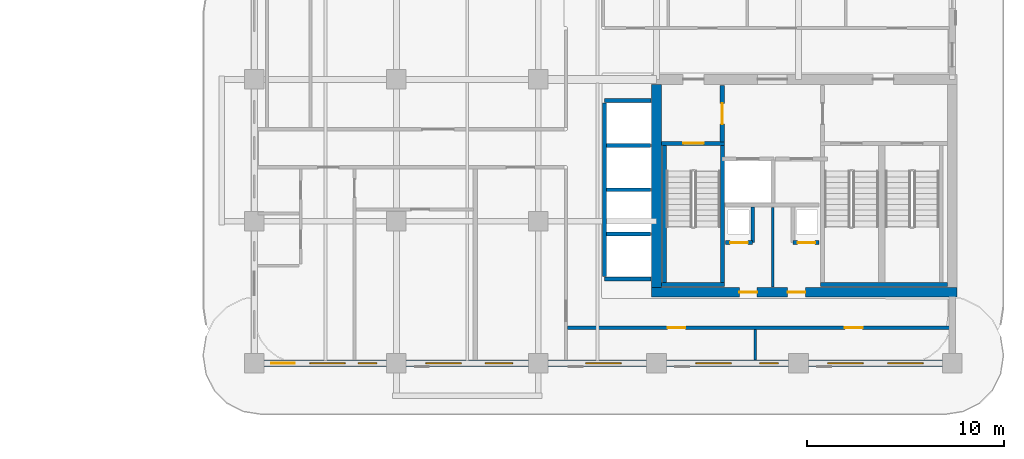
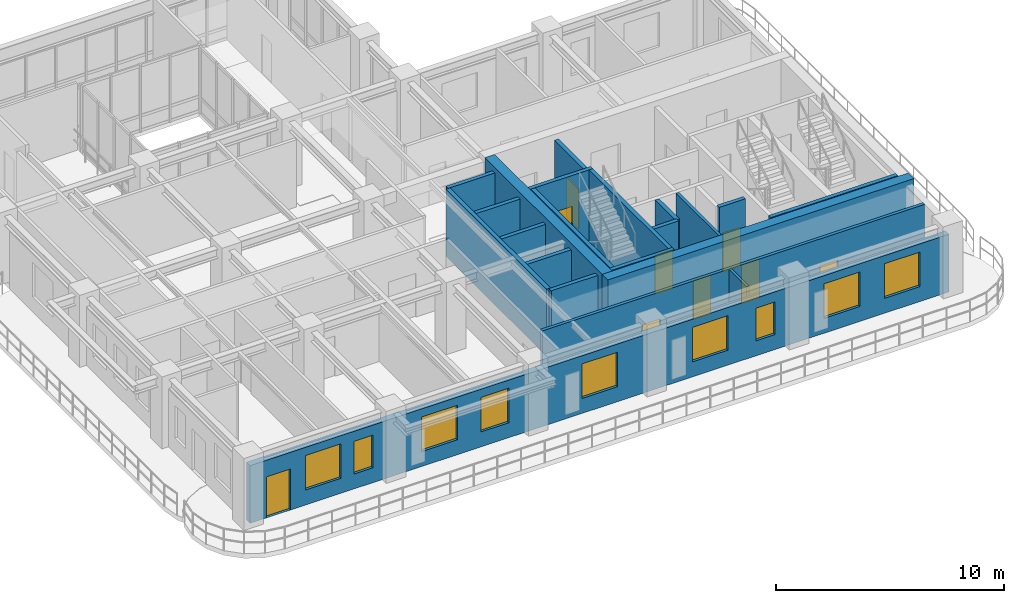
# One storey, part 12 of 20: 21 walls, 9 doors, 9 windows, 18 openings.
"""IFC4 building model written with IfcOpenShell, lengths in metres."""

from ifc_helpers import new_model, si_unit, derived_unit, direction, frame, frame_2d, origin, place, context, subcontext, project, spatial, rectangle, extrude, source, transform, mapped, material, layer, layer_set, type_object, type_shapes, element, fill, save


model = new_model("IFC4")

# Units and contexts
model_context = context("Model", 3, precision=1e-05, world=origin(), true_north=direction((0.0, 1.0)))
body_context = subcontext(model_context, "Body", "Model", "MODEL_VIEW")
ifc_project = project(units=[si_unit("LENGTHUNIT", "METRE"), si_unit("AREAUNIT", "SQUARE_METRE"), si_unit("VOLUMEUNIT", "CUBIC_METRE"), si_unit("PLANEANGLEUNIT", "RADIAN"), si_unit("MASSUNIT", "GRAM", prefix="KILO"), si_unit("THERMODYNAMICTEMPERATUREUNIT", "KELVIN"), si_unit("POWERUNIT", "WATT"), derived_unit("THERMALTRANSMITTANCEUNIT", [(si_unit("POWERUNIT", "WATT"), 1), (si_unit("AREAUNIT", "SQUARE_METRE"), -1), (si_unit("THERMODYNAMICTEMPERATUREUNIT", "KELVIN"), -1)])], contexts=[model_context])

# Site, building, storey
site_placement = place(None, origin())
site = spatial("IfcSite", under=ifc_project, at=site_placement, CompositionType="ELEMENT")
building_placement = place(site_placement, origin())
building = spatial("IfcBuilding", under=site, at=building_placement, Name="Zahravan Archway Hotel and Residences", CompositionType="ELEMENT")
storey_placement = place(building_placement, frame((0.0, 0.0, 154.14990234375)))
storey = spatial("IfcBuildingStorey", under=building, at=storey_placement, Name="L38", CompositionType="ELEMENT", Elevation=154.14990234375)

# Wall, openings, doors
ifc_material_1 = material(Name="Concrete C60/75", Category="concrete")
ifc_layer_1 = layer(ifc_material_1, 0.5, Name="Concrete C60/75", Category="concrete")
ifc_layer_set_1 = layer_set([ifc_layer_1], Name="Concrete C60/75")
wall_type_1 = type_object("IfcWallType", Name="CW-CORE-500", PredefinedType="SHEAR", material=ifc_layer_set_1)
wall_1_placement = place(storey_placement, frame((34.550048828125, 3.60009765625, 0.0), z_axis=(0.0, 0.0, 1.0), x_axis=(1.0, 0.0, 0.0)))
wall_1 = element("IfcWall", 1, at=wall_1_placement, inside=storey, type_object=wall_type_1, Name="L38 Core A Shear S Wall 500 mm", PredefinedType="SHEAR", context=body_context, shape_type="SweptSolid", body=[
    extrude(rectangle(XDim=15.5, YDim=0.5, at=frame_2d((7.75, 0.0))), origin(), (0.0, 0.0, 1.0), 3.85009765625),
])
opening_1_placement = place(wall_1_placement, frame((4.449951171875, 0.0, 0.0)))
opening_1 = element("IfcOpeningElement", 2, at=opening_1_placement, cuts=wall_1, Name="Opening FD-R1", PredefinedType="OPENING", context=body_context, shape_type="SweptSolid", body=[
    extrude(rectangle(XDim=0.89990234375, YDim=2.10009765625, at=frame_2d((0.449951171875, 1.050048828125))), frame((0.0, 0.260009765625, 0.0), z_axis=(0.0, -1.0, 0.0), x_axis=(1.0, 0.0, 0.0)), (0.0, 0.0, 1.0), 0.52001953125),
])
opening_2_placement = place(wall_1_placement, frame((6.89990234375, 0.0, 0.0)))
opening_2 = element("IfcOpeningElement", 3, at=opening_2_placement, cuts=wall_1, Name="Opening FD-R1", PredefinedType="OPENING", context=body_context, shape_type="SweptSolid", body=[
    extrude(rectangle(XDim=0.89990234375, YDim=2.10009765625, at=frame_2d((0.449951171875, 1.050048828125))), frame((0.0, 0.260009765625, 0.0), z_axis=(0.0, -1.0, 0.0), x_axis=(1.0, 0.0, 0.0)), (0.0, 0.0, 1.0), 0.52001953125),
])
ifc_material_2 = material(Name="Fire-Rated Painted Steel", Category="steel")
door_type_1 = type_object("IfcDoorType", Name="FD-RISER-900", OperationType="NOTDEFINED", PredefinedType="DOOR", material=ifc_material_2)
shared_shape_1 = source(origin(), body_context, "Body", "SweptSolid", [
    extrude(rectangle(XDim=0.89990234375, YDim=2.10009765625, at=frame_2d((0.449951171875, 1.050048828125))), frame((0.0, 0.02490234375, 0.0), z_axis=(0.0, -1.0, 0.0), x_axis=(1.0, 0.0, 0.0)), (0.0, 0.0, 1.0), 0.050048828125),
])
type_shapes(door_type_1, [shared_shape_1])
door_1_placement = place(opening_1_placement, origin())
door_1 = element("IfcDoor", 4, at=door_1_placement, inside=storey, type_object=door_type_1, Name="L38 Electrical Switchgear Door", OperationType="SINGLE_SWING_RIGHT", OverallHeight=2.10009765625, OverallWidth=0.89990234375, PredefinedType="DOOR", context=body_context, shape_type="MappedRepresentation", body=[
    mapped(shared_shape_1, transform((0.0, 0.0, 0.0), scale=1.0)),
])
fill(opening_1, door_1)
door_2_placement = place(opening_2_placement, origin())
door_2 = element("IfcDoor", 5, at=door_2_placement, inside=storey, type_object=door_type_1, Name="L38 Telecom BMS Door", OperationType="SINGLE_SWING_LEFT", OverallHeight=2.10009765625, OverallWidth=0.89990234375, PredefinedType="DOOR", context=body_context, shape_type="MappedRepresentation", body=[
    mapped(shared_shape_1, transform((0.0, 0.0, 0.0), scale=1.0)),
])
fill(opening_2, door_2)

# Wall
wall_2_placement = place(storey_placement, frame((34.800048828125, 3.85009765625, 0.0), z_axis=(0.0, 0.0, 1.0), x_axis=(0.0, 1.0, 0.0)))
element("IfcWall", 6, at=wall_2_placement, inside=storey, type_object=wall_type_1, Name="L38 Core A Shear W Wall 500 mm", PredefinedType="SHEAR", context=body_context, shape_type="SweptSolid", body=[
    extrude(rectangle(XDim=10.2998046875, YDim=0.5, at=frame_2d((5.14990234375, 0.0))), origin(), (0.0, 0.0, 1.0), 3.85009765625),
])

# Wall, openings, door, windows
ifc_material_3 = material(Name="Agra Buff Sandstone & Insulated Backup", Category="masonry")
ifc_layer_2 = layer(ifc_material_3, 0.320068359375, Name="Agra Buff Sandstone & Insulated Backup", Category="masonry")
ifc_layer_set_2 = layer_set([ifc_layer_2], Name="Agra Buff Sandstone & Insulated Backup")
wall_type_2 = type_object("IfcWallType", Name="EW-SAND-320", PredefinedType="SOLIDWALL", material=ifc_layer_set_2)
wall_3_placement = place(storey_placement, frame((14.39990234375, 0.0, 0.0), z_axis=(0.0, 0.0, 1.0), x_axis=(1.0, 0.0, 0.0)))
wall_3 = element("IfcWall", 7, at=wall_3_placement, inside=storey, type_object=wall_type_2, Name="L38 Exterior Sandstone Wall WA-S", PredefinedType="SOLIDWALL", context=body_context, shape_type="SweptSolid", body=[
    extrude(rectangle(XDim=35.400146484375, YDim=0.320068359375, at=frame_2d((17.7001953125, 0.0))), origin(), (0.0, 0.0, 1.0), 3.085205078125),
])
opening_3_placement = place(wall_3_placement, frame((0.85009765625, 0.0, 0.0)))
opening_3 = element("IfcOpeningElement", 8, at=opening_3_placement, cuts=wall_3, Name="Opening ED-BL1", PredefinedType="OPENING", context=body_context, shape_type="SweptSolid", body=[
    extrude(rectangle(XDim=1.199951171875, YDim=2.199951171875, at=frame_2d((0.60009765625, 1.10009765625))), frame((0.0, 0.169921875, 0.0), z_axis=(0.0, -1.0, 0.0), x_axis=(1.0, 0.0, 0.0)), (0.0, 0.0, 1.0), 0.340087890625),
])
opening_4_placement = place(wall_3_placement, frame((2.81103515625, 0.0, 0.800048828125)))
opening_4 = element("IfcOpeningElement", 9, at=opening_4_placement, cuts=wall_3, Name="Opening W-02", PredefinedType="OPENING", context=body_context, shape_type="SweptSolid", body=[
    extrude(rectangle(XDim=1.800048828125, YDim=1.85009765625, at=frame_2d((0.89990234375, 0.925048828125))), frame((0.0, 0.169921875, 0.0), z_axis=(0.0, -1.0, 0.0), x_axis=(1.0, 0.0, 0.0)), (0.0, 0.0, 1.0), 0.340087890625),
])
opening_5_placement = place(wall_3_placement, frame((5.26904296875, 0.0, 0.800048828125)))
opening_5 = element("IfcOpeningElement", 10, at=opening_5_placement, cuts=wall_3, Name="Opening W-04", PredefinedType="OPENING", context=body_context, shape_type="SweptSolid", body=[
    extrude(rectangle(XDim=0.949951171875, YDim=1.75, at=frame_2d((0.47509765625, 0.875))), frame((0.0, 0.169921875, 0.0), z_axis=(0.0, -1.0, 0.0), x_axis=(1.0, 0.0, 0.0)), (0.0, 0.0, 1.0), 0.340087890625),
])
opening_6_placement = place(wall_3_placement, frame((8.696044921875, 0.0, 0.800048828125)))
opening_6 = element("IfcOpeningElement", 11, at=opening_6_placement, cuts=wall_3, Name="Opening W-02", PredefinedType="OPENING", context=body_context, shape_type="SweptSolid", body=[
    extrude(rectangle(XDim=1.800048828125, YDim=1.85009765625, at=frame_2d((0.89990234375, 0.925048828125))), frame((0.0, 0.169921875, 0.0), z_axis=(0.0, -1.0, 0.0), x_axis=(1.0, 0.0, 0.0)), (0.0, 0.0, 1.0), 0.340087890625),
])
opening_7_placement = place(wall_3_placement, frame((11.7041015625, 0.0, 0.800048828125)))
opening_7 = element("IfcOpeningElement", 12, at=opening_7_placement, cuts=wall_3, Name="Opening W-03", PredefinedType="OPENING", context=body_context, shape_type="SweptSolid", body=[
    extrude(rectangle(XDim=1.39990234375, YDim=1.85009765625, at=frame_2d((0.699951171875, 0.925048828125))), frame((0.0, 0.169921875, 0.0), z_axis=(0.0, -1.0, 0.0), x_axis=(1.0, 0.0, 0.0)), (0.0, 0.0, 1.0), 0.340087890625),
])
opening_8_placement = place(wall_3_placement, frame((16.803955078125, 0.0, 0.800048828125)))
opening_8 = element("IfcOpeningElement", 13, at=opening_8_placement, cuts=wall_3, Name="Opening W-02", PredefinedType="OPENING", context=body_context, shape_type="SweptSolid", body=[
    extrude(rectangle(XDim=1.800048828125, YDim=1.85009765625, at=frame_2d((0.89990234375, 0.925048828125))), frame((0.0, 0.169921875, 0.0), z_axis=(0.0, -1.0, 0.0), x_axis=(1.0, 0.0, 0.0)), (0.0, 0.0, 1.0), 0.340087890625),
])
opening_9_placement = place(wall_3_placement, frame((22.39599609375, 0.0, 0.800048828125)))
opening_9 = element("IfcOpeningElement", 14, at=opening_9_placement, cuts=wall_3, Name="Opening W-02", PredefinedType="OPENING", context=body_context, shape_type="SweptSolid", body=[
    extrude(rectangle(XDim=1.800048828125, YDim=1.85009765625, at=frame_2d((0.89990234375, 0.925048828125))), frame((0.0, 0.169921875, 0.0), z_axis=(0.0, -1.0, 0.0), x_axis=(1.0, 0.0, 0.0)), (0.0, 0.0, 1.0), 0.340087890625),
])
opening_10_placement = place(wall_3_placement, frame((25.62890625, 0.0, 0.800048828125)))
opening_10 = element("IfcOpeningElement", 15, at=opening_10_placement, cuts=wall_3, Name="Opening W-04", PredefinedType="OPENING", context=body_context, shape_type="SweptSolid", body=[
    extrude(rectangle(XDim=0.949951171875, YDim=1.75, at=frame_2d((0.47509765625, 0.875))), frame((0.0, 0.169921875, 0.0), z_axis=(0.0, -1.0, 0.0), x_axis=(1.0, 0.0, 0.0)), (0.0, 0.0, 1.0), 0.340087890625),
])
opening_11_placement = place(wall_3_placement, frame((29.074951171875, 0.0, 0.800048828125)))
opening_11 = element("IfcOpeningElement", 16, at=opening_11_placement, cuts=wall_3, Name="Opening W-02", PredefinedType="OPENING", context=body_context, shape_type="SweptSolid", body=[
    extrude(rectangle(XDim=1.800048828125, YDim=1.85009765625, at=frame_2d((0.89990234375, 0.925048828125))), frame((0.0, 0.169921875, 0.0), z_axis=(0.0, -1.0, 0.0), x_axis=(1.0, 0.0, 0.0)), (0.0, 0.0, 1.0), 0.340087890625),
])
opening_12_placement = place(wall_3_placement, frame((32.125, 0.0, 0.800048828125)))
opening_12 = element("IfcOpeningElement", 17, at=opening_12_placement, cuts=wall_3, Name="Opening W-02", PredefinedType="OPENING", context=body_context, shape_type="SweptSolid", body=[
    extrude(rectangle(XDim=1.800048828125, YDim=1.85009765625, at=frame_2d((0.89990234375, 0.925048828125))), frame((0.0, 0.169921875, 0.0), z_axis=(0.0, -1.0, 0.0), x_axis=(1.0, 0.0, 0.0)), (0.0, 0.0, 1.0), 0.340087890625),
])
ifc_material_4 = material(Name="Bronze-Anodized Glazed Aluminium", Category="aluminium")
door_type_2 = type_object("IfcDoorType", Name="ED-BALC-1200", OperationType="SLIDING_TO_LEFT", PredefinedType="DOOR", material=ifc_material_4)
shared_shape_2 = source(origin(), body_context, "Body", "SweptSolid", [
    extrude(rectangle(XDim=1.199951171875, YDim=2.199951171875, at=frame_2d((0.60009765625, 1.10009765625))), frame((0.0, 0.02490234375, 0.0), z_axis=(0.0, -1.0, 0.0), x_axis=(1.0, 0.0, 0.0)), (0.0, 0.0, 1.0), 0.050048828125),
])
type_shapes(door_type_2, [shared_shape_2])
door_3_placement = place(opening_3_placement, origin())
door_3 = element("IfcDoor", 18, at=door_3_placement, inside=storey, type_object=door_type_2, Name="L38 Outdoor Access Sliding Door (SLB-BAL-L38-SA)", OperationType="SLIDING_TO_LEFT", OverallHeight=2.199951171875, OverallWidth=1.199951171875, PredefinedType="DOOR", context=body_context, shape_type="MappedRepresentation", body=[
    mapped(shared_shape_2, transform((0.0, 0.0, 0.0), scale=1.0)),
])
fill(opening_3, door_3)
ifc_material_5 = material(Name="Bronze-Anodized Thermal-Break Aluminium & Low-E Glass", Category="aluminium")
window_type_1 = type_object("IfcWindowType", Name="WIN-TWR-1400", PartitioningType="SINGLE_PANEL", PredefinedType="WINDOW", material=ifc_material_5)
shared_shape_3 = source(origin(), body_context, "Body", "SweptSolid", [
    extrude(rectangle(XDim=1.39990234375, YDim=1.85009765625, at=frame_2d((0.699951171875, 0.925048828125))), frame((0.0, 0.030029296875, 0.0), z_axis=(0.0, -1.0, 0.0), x_axis=(1.0, 0.0, 0.0)), (0.0, 0.0, 1.0), 0.06005859375),
])
type_shapes(window_type_1, [shared_shape_3])
window_1_placement = place(opening_7_placement, origin())
window_1 = element("IfcWindow", 19, at=window_1_placement, inside=storey, type_object=window_type_1, Name="L38 Loggia Window 04", OverallHeight=1.85009765625, OverallWidth=1.39990234375, PartitioningType="SINGLE_PANEL", PredefinedType="WINDOW", context=body_context, shape_type="MappedRepresentation", body=[
    mapped(shared_shape_3, transform((0.0, 0.0, 0.0), scale=1.0)),
])
fill(opening_7, window_1)
window_type_2 = type_object("IfcWindowType", Name="WIN-NAR-950", PartitioningType="SINGLE_PANEL", PredefinedType="WINDOW", material=ifc_material_5)
shared_shape_4 = source(origin(), body_context, "Body", "SweptSolid", [
    extrude(rectangle(XDim=0.949951171875, YDim=1.75, at=frame_2d((0.47509765625, 0.875))), frame((0.0, 0.030029296875, 0.0), z_axis=(0.0, -1.0, 0.0), x_axis=(1.0, 0.0, 0.0)), (0.0, 0.0, 1.0), 0.06005859375),
])
type_shapes(window_type_2, [shared_shape_4])
window_2_placement = place(opening_5_placement, origin())
window_2 = element("IfcWindow", 20, at=window_2_placement, inside=storey, type_object=window_type_2, Name="L38 Loggia Window 02", OverallHeight=1.75, OverallWidth=0.949951171875, PartitioningType="SINGLE_PANEL", PredefinedType="WINDOW", context=body_context, shape_type="MappedRepresentation", body=[
    mapped(shared_shape_4, transform((0.0, 0.0, 0.0), scale=1.0)),
])
fill(opening_5, window_2)
window_3_placement = place(opening_10_placement, origin())
window_3 = element("IfcWindow", 21, at=window_3_placement, inside=storey, type_object=window_type_2, Name="L38 Loggia Window 07", OverallHeight=1.75, OverallWidth=0.949951171875, PartitioningType="SINGLE_PANEL", PredefinedType="WINDOW", context=body_context, shape_type="MappedRepresentation", body=[
    mapped(shared_shape_4, transform((0.0, 0.0, 0.0), scale=1.0)),
])
fill(opening_10, window_3)
window_type_3 = type_object("IfcWindowType", Name="WIN-TWR-1800", PartitioningType="DOUBLE_PANEL_VERTICAL", PredefinedType="WINDOW", material=ifc_material_5)
shared_shape_5 = source(origin(), body_context, "Body", "SweptSolid", [
    extrude(rectangle(XDim=1.800048828125, YDim=1.85009765625, at=frame_2d((0.89990234375, 0.925048828125))), frame((0.0, 0.030029296875, 0.0), z_axis=(0.0, -1.0, 0.0), x_axis=(1.0, 0.0, 0.0)), (0.0, 0.0, 1.0), 0.06005859375),
])
type_shapes(window_type_3, [shared_shape_5])
window_4_placement = place(opening_4_placement, origin())
window_4 = element("IfcWindow", 22, at=window_4_placement, inside=storey, type_object=window_type_3, Name="L38 Loggia Window 01", OverallHeight=1.85009765625, OverallWidth=1.800048828125, PartitioningType="DOUBLE_PANEL_VERTICAL", PredefinedType="WINDOW", context=body_context, shape_type="MappedRepresentation", body=[
    mapped(shared_shape_5, transform((0.0, 0.0, 0.0), scale=1.0)),
])
fill(opening_4, window_4)
window_5_placement = place(opening_6_placement, origin())
window_5 = element("IfcWindow", 23, at=window_5_placement, inside=storey, type_object=window_type_3, Name="L38 Loggia Window 03", OverallHeight=1.85009765625, OverallWidth=1.800048828125, PartitioningType="DOUBLE_PANEL_VERTICAL", PredefinedType="WINDOW", context=body_context, shape_type="MappedRepresentation", body=[
    mapped(shared_shape_5, transform((0.0, 0.0, 0.0), scale=1.0)),
])
fill(opening_6, window_5)
window_6_placement = place(opening_8_placement, origin())
window_6 = element("IfcWindow", 24, at=window_6_placement, inside=storey, type_object=window_type_3, Name="L38 Loggia Window 05", OverallHeight=1.85009765625, OverallWidth=1.800048828125, PartitioningType="DOUBLE_PANEL_VERTICAL", PredefinedType="WINDOW", context=body_context, shape_type="MappedRepresentation", body=[
    mapped(shared_shape_5, transform((0.0, 0.0, 0.0), scale=1.0)),
])
fill(opening_8, window_6)
window_7_placement = place(opening_9_placement, origin())
window_7 = element("IfcWindow", 25, at=window_7_placement, inside=storey, type_object=window_type_3, Name="L38 Loggia Window 06", OverallHeight=1.85009765625, OverallWidth=1.800048828125, PartitioningType="DOUBLE_PANEL_VERTICAL", PredefinedType="WINDOW", context=body_context, shape_type="MappedRepresentation", body=[
    mapped(shared_shape_5, transform((0.0, 0.0, 0.0), scale=1.0)),
])
fill(opening_9, window_7)
window_8_placement = place(opening_11_placement, origin())
window_8 = element("IfcWindow", 26, at=window_8_placement, inside=storey, type_object=window_type_3, Name="L38 Loggia Window 08", OverallHeight=1.85009765625, OverallWidth=1.800048828125, PartitioningType="DOUBLE_PANEL_VERTICAL", PredefinedType="WINDOW", context=body_context, shape_type="MappedRepresentation", body=[
    mapped(shared_shape_5, transform((0.0, 0.0, 0.0), scale=1.0)),
])
fill(opening_11, window_8)
window_9_placement = place(opening_12_placement, origin())
window_9 = element("IfcWindow", 27, at=window_9_placement, inside=storey, type_object=window_type_3, Name="L38 Loggia Window 09", OverallHeight=1.85009765625, OverallWidth=1.800048828125, PartitioningType="DOUBLE_PANEL_VERTICAL", PredefinedType="WINDOW", context=body_context, shape_type="MappedRepresentation", body=[
    mapped(shared_shape_5, transform((0.0, 0.0, 0.0), scale=1.0)),
])
fill(opening_12, window_9)

# Wall, opening, door
ifc_material_6 = material(Name="Fire-Rated Gypsum & Concrete Block", Category="concrete")
ifc_layer_3 = layer(ifc_material_6, 0.219970703125, Name="Fire-Rated Gypsum & Concrete Block", Category="concrete")
ifc_layer_set_3 = layer_set([ifc_layer_3], Name="Fire-Rated Gypsum & Concrete Block")
wall_type_3 = type_object("IfcWallType", Name="PW-COMP-220", PredefinedType="PARTITIONING", material=ifc_layer_set_3)
wall_4_placement = place(storey_placement, frame((38.139892578125, 11.219970703125, 0.0), z_axis=(0.0, 0.0, 1.0), x_axis=(0.0, 1.0, 0.0)))
wall_4 = element("IfcWall", 28, at=wall_4_placement, inside=storey, type_object=wall_type_3, Name="L38 Partition CA-LOBW", PredefinedType="PARTITIONING", context=body_context, shape_type="SweptSolid", body=[
    extrude(rectangle(XDim=2.860107421875, YDim=0.219970703125, at=frame_2d((1.43017578125, 0.0))), origin(), (0.0, 0.0, 1.0), 3.60009765625),
])
opening_13_placement = place(wall_4_placement, frame((0.905029296875, 0.0, 0.0)))
opening_13 = element("IfcOpeningElement", 29, at=opening_13_placement, cuts=wall_4, Name="Opening FD-L2", PredefinedType="OPENING", context=body_context, shape_type="SweptSolid", body=[
    extrude(rectangle(XDim=1.050048828125, YDim=2.14990234375, at=frame_2d((0.52490234375, 1.074951171875))), frame((0.0, 0.1201171875, 0.0), z_axis=(0.0, -1.0, 0.0), x_axis=(1.0, 0.0, 0.0)), (0.0, 0.0, 1.0), 0.239990234375),
])
door_type_3 = type_object("IfcDoorType", Name="FD-LOBBY-1100", OperationType="NOTDEFINED", PredefinedType="DOOR", material=ifc_material_2)
shared_shape_6 = source(origin(), body_context, "Body", "SweptSolid", [
    extrude(rectangle(XDim=1.050048828125, YDim=2.14990234375, at=frame_2d((0.52490234375, 1.074951171875))), frame((0.0, 0.02490234375, 0.0), z_axis=(0.0, -1.0, 0.0), x_axis=(1.0, 0.0, 0.0)), (0.0, 0.0, 1.0), 0.050048828125),
])
type_shapes(door_type_3, [shared_shape_6])
door_4_placement = place(opening_13_placement, origin())
door_4 = element("IfcDoor", 30, at=door_4_placement, inside=storey, type_object=door_type_3, Name="L38 Core A West Stair to FSAE Lobby Door", OperationType="SINGLE_SWING_RIGHT", OverallHeight=2.14990234375, OverallWidth=1.050048828125, PredefinedType="DOOR", context=body_context, shape_type="MappedRepresentation", body=[
    mapped(shared_shape_6, transform((0.0, 0.0, 0.0), scale=1.0)),
])
fill(opening_13, door_4)

# Wall, openings, doors
ifc_layer_4 = layer(ifc_material_6, 0.159912109375, Name="Fire-Rated Gypsum & Concrete Block", Category="concrete")
ifc_layer_set_4 = layer_set([ifc_layer_4], Name="Fire-Rated Gypsum & Concrete Block")
wall_type_4 = type_object("IfcWallType", Name="PW-CORR-160", PredefinedType="PARTITIONING", material=ifc_layer_set_4)
wall_5_placement = place(storey_placement, frame((30.2900390625, 1.800048828125, 0.0), z_axis=(0.0, 0.0, 1.0), x_axis=(1.0, 0.0, 0.0)))
wall_5 = element("IfcWall", 31, at=wall_5_placement, inside=storey, type_object=wall_type_4, Name="L38 Partition WA-SRS", PredefinedType="PARTITIONING", context=body_context, shape_type="SweptSolid", body=[
    extrude(rectangle(XDim=19.369873046875, YDim=0.159912109375, at=frame_2d((9.68505859375, 0.0))), origin(), (0.0, 0.0, 1.0), 3.60009765625),
])
opening_14_placement = place(wall_5_placement, frame((5.07421875, 0.0, 0.0)))
opening_14 = element("IfcOpeningElement", 32, at=opening_14_placement, cuts=wall_5, Name="Opening D-I2", PredefinedType="OPENING", context=body_context, shape_type="SweptSolid", body=[
    extrude(rectangle(XDim=0.89990234375, YDim=2.14990234375, at=frame_2d((0.449951171875, 1.074951171875))), frame((0.0, 0.08984375, 0.0), z_axis=(0.0, -1.0, 0.0), x_axis=(1.0, 0.0, 0.0)), (0.0, 0.0, 1.0), 0.179931640625),
])
opening_15_placement = place(wall_5_placement, frame((14.06005859375, 0.0, 0.0)))
opening_15 = element("IfcOpeningElement", 33, at=opening_15_placement, cuts=wall_5, Name="Opening D-I2", PredefinedType="OPENING", context=body_context, shape_type="SweptSolid", body=[
    extrude(rectangle(XDim=0.89990234375, YDim=2.14990234375, at=frame_2d((0.449951171875, 1.074951171875))), frame((0.0, 0.08984375, 0.0), z_axis=(0.0, -1.0, 0.0), x_axis=(1.0, 0.0, 0.0)), (0.0, 0.0, 1.0), 0.179931640625),
])
ifc_material_7 = material(Name="Hardwood Veneer Timber", Category="wood")
door_type_4 = type_object("IfcDoorType", Name="ID-INT-900", OperationType="NOTDEFINED", PredefinedType="DOOR", material=ifc_material_7)
shared_shape_7 = source(origin(), body_context, "Body", "SweptSolid", [
    extrude(rectangle(XDim=0.89990234375, YDim=2.14990234375, at=frame_2d((0.449951171875, 1.074951171875))), frame((0.0, 0.02490234375, 0.0), z_axis=(0.0, -1.0, 0.0), x_axis=(1.0, 0.0, 0.0)), (0.0, 0.0, 1.0), 0.050048828125),
])
type_shapes(door_type_4, [shared_shape_7])
door_5_placement = place(opening_14_placement, origin())
door_5 = element("IfcDoor", 34, at=door_5_placement, inside=storey, type_object=door_type_4, Name="L38 South Study Door", OperationType="SINGLE_SWING_RIGHT", OverallHeight=2.14990234375, OverallWidth=0.89990234375, PredefinedType="DOOR", context=body_context, shape_type="MappedRepresentation", body=[
    mapped(shared_shape_7, transform((0.0, 0.0, 0.0), scale=1.0)),
])
fill(opening_14, door_5)
door_6_placement = place(opening_15_placement, origin())
door_6 = element("IfcDoor", 35, at=door_6_placement, inside=storey, type_object=door_type_4, Name="L38 South Pantry Door", OperationType="SINGLE_SWING_LEFT", OverallHeight=2.14990234375, OverallWidth=0.89990234375, PredefinedType="DOOR", context=body_context, shape_type="MappedRepresentation", body=[
    mapped(shared_shape_7, transform((0.0, 0.0, 0.0), scale=1.0)),
])
fill(opening_15, door_6)

# Wall
ifc_material_8 = material(Name="Acoustic Stud Partition")
ifc_layer_5 = layer(ifc_material_8, 0.125, Name="Acoustic Stud Partition")
ifc_layer_set_5 = layer_set([ifc_layer_5], Name="Acoustic Stud Partition")
wall_type_5 = type_object("IfcWallType", Name="PW-INT-125", PredefinedType="PARTITIONING", material=ifc_layer_set_5)
wall_6_placement = place(storey_placement, frame((39.800048828125, 0.16796875, 0.0), z_axis=(0.0, 0.0, 1.0), x_axis=(0.0, 1.0, 0.0)))
element("IfcWall", 36, at=wall_6_placement, inside=storey, type_object=wall_type_5, Name="L38 Partition S-DIV1", PredefinedType="PARTITIONING", context=body_context, shape_type="SweptSolid", body=[
    extrude(rectangle(XDim=1.5419921875, YDim=0.125, at=frame_2d((0.77099609375, 0.0))), origin(), (0.0, 0.0, 1.0), 3.60009765625),
])

# Wall, opening, door
ifc_layer_6 = layer(ifc_material_6, 0.199951171875, Name="Fire-Rated Gypsum & Concrete Block", Category="concrete")
ifc_layer_set_6 = layer_set([ifc_layer_6], Name="Fire-Rated Gypsum & Concrete Block")
wall_type_6 = type_object("IfcWallType", Name="PW-SHAFT-200", PredefinedType="PARTITIONING", material=ifc_layer_set_6)
wall_7_placement = place(storey_placement, frame((38.2900390625, 6.1201171875, 0.0), z_axis=(0.0, 0.0, 1.0), x_axis=(1.0, 0.0, 0.0)))
wall_7 = element("IfcWall", 37, at=wall_7_placement, inside=storey, type_object=wall_type_6, Name="L38 Partition CA-SMKS", PredefinedType="PARTITIONING", context=body_context, shape_type="SweptSolid", body=[
    extrude(rectangle(XDim=1.3798828125, YDim=0.199951171875, at=frame_2d((0.68994140625, 0.0))), origin(), (0.0, 0.0, 1.0), 3.60009765625),
])
opening_16_placement = place(wall_7_placement, frame((0.239990234375, 0.0, 0.0)))
opening_16 = element("IfcOpeningElement", 38, at=opening_16_placement, cuts=wall_7, Name="Opening FD-R1", PredefinedType="OPENING", context=body_context, shape_type="SweptSolid", body=[
    extrude(rectangle(XDim=0.89990234375, YDim=2.10009765625, at=frame_2d((0.449951171875, 1.050048828125))), frame((0.0, 0.10986328125, 0.0), z_axis=(0.0, -1.0, 0.0), x_axis=(1.0, 0.0, 0.0)), (0.0, 0.0, 1.0), 0.219970703125),
])
door_7_placement = place(opening_16_placement, origin())
door_7 = element("IfcDoor", 39, at=door_7_placement, inside=storey, type_object=door_type_1, Name="L38 Smoke Riser Access Door", OperationType="SINGLE_SWING_RIGHT", OverallHeight=2.10009765625, OverallWidth=0.89990234375, PredefinedType="DOOR", context=body_context, shape_type="MappedRepresentation", body=[
    mapped(shared_shape_1, transform((0.0, 0.0, 0.0), scale=1.0)),
])
fill(opening_16, door_7)

# Wall
wall_8_placement = place(storey_placement, frame((39.679931640625, 6.1298828125, 0.0), z_axis=(0.0, 0.0, 1.0), x_axis=(0.0, 1.0, 0.0)))
element("IfcWall", 40, at=wall_8_placement, inside=storey, type_object=wall_type_6, Name="L38 Partition CA-SMKE", PredefinedType="PARTITIONING", context=body_context, shape_type="SweptSolid", body=[
    extrude(rectangle(XDim=1.7900390625, YDim=0.199951171875, at=frame_2d((0.89501953125, 0.0))), origin(), (0.0, 0.0, 1.0), 3.60009765625),
])

# Wall, opening, door
wall_9_placement = place(storey_placement, frame((41.72998046875, 6.1201171875, 0.0), z_axis=(0.0, 0.0, 1.0), x_axis=(1.0, 0.0, 0.0)))
wall_9 = element("IfcWall", 41, at=wall_9_placement, inside=storey, type_object=wall_type_6, Name="L38 Partition CA-MEPS", PredefinedType="PARTITIONING", context=body_context, shape_type="SweptSolid", body=[
    extrude(rectangle(XDim=1.320068359375, YDim=0.199951171875, at=frame_2d((0.66015625, 0.0))), origin(), (0.0, 0.0, 1.0), 3.60009765625),
])
opening_17_placement = place(wall_9_placement, frame((0.219970703125, 0.0, 0.0)))
opening_17 = element("IfcOpeningElement", 42, at=opening_17_placement, cuts=wall_9, Name="Opening FD-R1", PredefinedType="OPENING", context=body_context, shape_type="SweptSolid", body=[
    extrude(rectangle(XDim=0.89990234375, YDim=2.10009765625, at=frame_2d((0.449951171875, 1.050048828125))), frame((0.0, 0.10986328125, 0.0), z_axis=(0.0, -1.0, 0.0), x_axis=(1.0, 0.0, 0.0)), (0.0, 0.0, 1.0), 0.219970703125),
])
door_8_placement = place(opening_17_placement, origin())
door_8 = element("IfcDoor", 43, at=door_8_placement, inside=storey, type_object=door_type_1, Name="L38 MEP Riser Access Door", OperationType="SINGLE_SWING_LEFT", OverallHeight=2.10009765625, OverallWidth=0.89990234375, PredefinedType="DOOR", context=body_context, shape_type="MappedRepresentation", body=[
    mapped(shared_shape_1, transform((0.0, 0.0, 0.0), scale=1.0)),
])
fill(opening_17, door_8)

# Walls
for number, where, z_axis, x_axis, name in (
    (44, (32.159912109375, 4.280029296875, 0.0), (0.0, 0.0, 1.0), (1.0, 0.0, 0.0), "L38 Partition B3-S"),
    (45, (32.159912109375, 13.320068359375, 0.0), (0.0, 0.0, 1.0), (1.0, 0.0, 0.0), "L38 Partition B3-N"),
):
    element("IfcWall", number, at=place(storey_placement, frame(where, z_axis=z_axis, x_axis=x_axis)), inside=storey, type_object=wall_type_6, Name=name, PredefinedType="PARTITIONING", context=body_context, shape_type="SweptSolid", body=[
        extrude(rectangle(XDim=2.360107421875, YDim=0.199951171875, at=frame_2d((1.18017578125, 0.0))), origin(), (0.0, 0.0, 1.0), 3.60009765625),
    ])
wall_10_placement = place(storey_placement, frame((32.14990234375, 4.389892578125, 0.0), z_axis=(0.0, 0.0, 1.0), x_axis=(0.0, 1.0, 0.0)))
element("IfcWall", 46, at=wall_10_placement, inside=storey, type_object=wall_type_6, Name="L38 Partition B3-W", PredefinedType="PARTITIONING", context=body_context, shape_type="SweptSolid", body=[
    extrude(rectangle(XDim=8.820068359375, YDim=0.199951171875, at=frame_2d((4.41015625, 0.0))), origin(), (0.0, 0.0, 1.0), 3.60009765625),
])
for number, where, z_axis, x_axis, name in (
    (47, (32.260009765625, 6.56005859375, 0.0), (0.0, 0.0, 1.0), (1.0, 0.0, 0.0), "L38 Partition B3-D"),
    (48, (32.260009765625, 8.800048828125, 0.0), (0.0, 0.0, 1.0), (1.0, 0.0, 0.0), "L38 Partition B3-D"),
    (49, (32.260009765625, 11.0400390625, 0.0), (0.0, 0.0, 1.0), (1.0, 0.0, 0.0), "L38 Partition B3-D"),
):
    element("IfcWall", number, at=place(storey_placement, frame(where, z_axis=z_axis, x_axis=x_axis)), inside=storey, type_object=wall_type_6, Name=name, PredefinedType="PARTITIONING", context=body_context, shape_type="SweptSolid", body=[
        extrude(rectangle(XDim=2.22998046875, YDim=0.199951171875, at=frame_2d((1.114990234375, 0.0))), origin(), (0.0, 0.0, 1.0), 3.60009765625),
    ])
ifc_material_9 = material(Name="Moisture-Resistant Blockwork", Category="masonry")
ifc_layer_7 = layer(ifc_material_9, 0.139892578125, Name="Moisture-Resistant Blockwork", Category="masonry")
ifc_layer_set_7 = layer_set([ifc_layer_7], Name="Moisture-Resistant Blockwork")
wall_type_7 = type_object("IfcWallType", Name="PW-WET-140", PredefinedType="PARTITIONING", material=ifc_layer_set_7)
wall_11_placement = place(storey_placement, frame((40.699951171875, 3.8701171875, 0.0), z_axis=(0.0, 0.0, 1.0), x_axis=(0.0, 1.0, 0.0)))
element("IfcWall", 50, at=wall_11_placement, inside=storey, type_object=wall_type_7, Name="L38 Partition CA-CV0", PredefinedType="PARTITIONING", context=body_context, shape_type="SweptSolid", body=[
    extrude(rectangle(XDim=4.039794921875, YDim=0.139892578125, at=frame_2d((2.02001953125, 0.0))), origin(), (0.0, 0.0, 1.0), 3.60009765625),
])
ifc_material_10 = material(Name="Concrete C50/60", Category="concrete")
ifc_layer_8 = layer(ifc_material_10, 0.199951171875, Name="Concrete C50/60", Category="concrete")
ifc_layer_set_8 = layer_set([ifc_layer_8], Name="Concrete C50/60")
wall_type_8 = type_object("IfcWallType", Name="SW-STAIR-200", PredefinedType="SHEAR", material=ifc_layer_set_8)
wall_12_placement = place(storey_placement, frame((35.050048828125, 4.0, 0.0), z_axis=(0.0, 0.0, 1.0), x_axis=(1.0, 0.0, 0.0)))
element("IfcWall", 51, at=wall_12_placement, inside=storey, type_object=wall_type_8, Name="L38 Stairwell RC Wall CA-SA1S", PredefinedType="SHEAR", context=body_context, shape_type="SweptSolid", body=[
    extrude(rectangle(XDim=3.18994140625, YDim=0.199951171875, at=frame_2d((1.594970703125, 0.0))), origin(), (0.0, 0.0, 1.0), 3.85009765625),
])
for number, where, z_axis, x_axis, name in (
    (52, (35.199951171875, 4.10009765625, 0.0), (0.0, 0.0, 1.0), (0.0, 1.0, 0.0), "L38 Stairwell RC Wall CA-SA1W"),
    (53, (38.139892578125, 4.10009765625, 0.0), (0.0, 0.0, 1.0), (0.0, 1.0, 0.0), "L38 Stairwell RC Wall CA-SA1E"),
):
    element("IfcWall", number, at=place(storey_placement, frame(where, z_axis=z_axis, x_axis=x_axis)), inside=storey, type_object=wall_type_8, Name=name, PredefinedType="SHEAR", context=body_context, shape_type="SweptSolid", body=[
        extrude(rectangle(XDim=6.949951171875, YDim=0.199951171875, at=frame_2d((3.47509765625, 0.0))), origin(), (0.0, 0.0, 1.0), 3.85009765625),
    ])

# Wall, opening, door
wall_13_placement = place(storey_placement, frame((35.050048828125, 11.14990234375, 0.0), z_axis=(0.0, 0.0, 1.0), x_axis=(1.0, 0.0, 0.0)))
wall_13 = element("IfcWall", 54, at=wall_13_placement, inside=storey, type_object=wall_type_8, Name="L38 Stairwell RC Wall CA-SA1N", PredefinedType="SHEAR", context=body_context, shape_type="SweptSolid", body=[
    extrude(rectangle(XDim=3.18994140625, YDim=0.199951171875, at=frame_2d((1.594970703125, 0.0))), origin(), (0.0, 0.0, 1.0), 3.85009765625),
])
opening_18_placement = place(wall_13_placement, frame((1.094970703125, 0.0, 0.0)))
opening_18 = element("IfcOpeningElement", 55, at=opening_18_placement, cuts=wall_13, Name="Opening FD-S1", PredefinedType="OPENING", context=body_context, shape_type="SweptSolid", body=[
    extrude(rectangle(XDim=1.050048828125, YDim=2.199951171875, at=frame_2d((0.52490234375, 1.10009765625))), frame((0.0, 0.10986328125, 0.0), z_axis=(0.0, -1.0, 0.0), x_axis=(1.0, 0.0, 0.0)), (0.0, 0.0, 1.0), 0.219970703125),
])
door_type_5 = type_object("IfcDoorType", Name="FD-STAIR-1100", OperationType="NOTDEFINED", PredefinedType="DOOR", material=ifc_material_2)
shared_shape_8 = source(origin(), body_context, "Body", "SweptSolid", [
    extrude(rectangle(XDim=1.050048828125, YDim=2.199951171875, at=frame_2d((0.52490234375, 1.10009765625))), frame((0.0, 0.02490234375, 0.0), z_axis=(0.0, -1.0, 0.0), x_axis=(1.0, 0.0, 0.0)), (0.0, 0.0, 1.0), 0.050048828125),
])
type_shapes(door_type_5, [shared_shape_8])
door_9_placement = place(opening_18_placement, origin())
door_9 = element("IfcDoor", 56, at=door_9_placement, inside=storey, type_object=door_type_5, Name="L38 Stair ST-A1 Door", OperationType="SINGLE_SWING_LEFT", OverallHeight=2.199951171875, OverallWidth=1.050048828125, PredefinedType="DOOR", context=body_context, shape_type="MappedRepresentation", body=[
    mapped(shared_shape_8, transform((0.0, 0.0, 0.0), scale=1.0)),
])
fill(opening_18, door_9)

# Wall
wall_14_placement = place(storey_placement, frame((43.1201171875, 4.0, 0.0), z_axis=(0.0, 0.0, 1.0), x_axis=(1.0, 0.0, 0.0)))
element("IfcWall", 57, at=wall_14_placement, inside=storey, type_object=wall_type_8, Name="L38 Stairwell RC Wall CA-SA23S", PredefinedType="SHEAR", context=body_context, shape_type="SweptSolid", body=[
    extrude(rectangle(XDim=6.429931640625, YDim=0.199951171875, at=frame_2d((3.21484375, 0.0))), origin(), (0.0, 0.0, 1.0), 3.85009765625),
])

save(model, "model.ifc")
